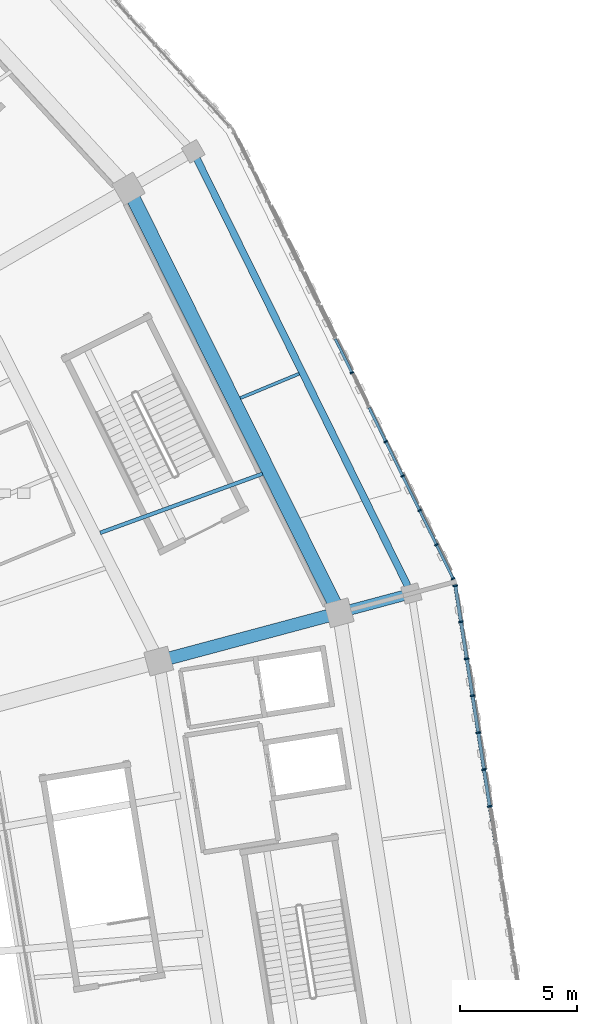
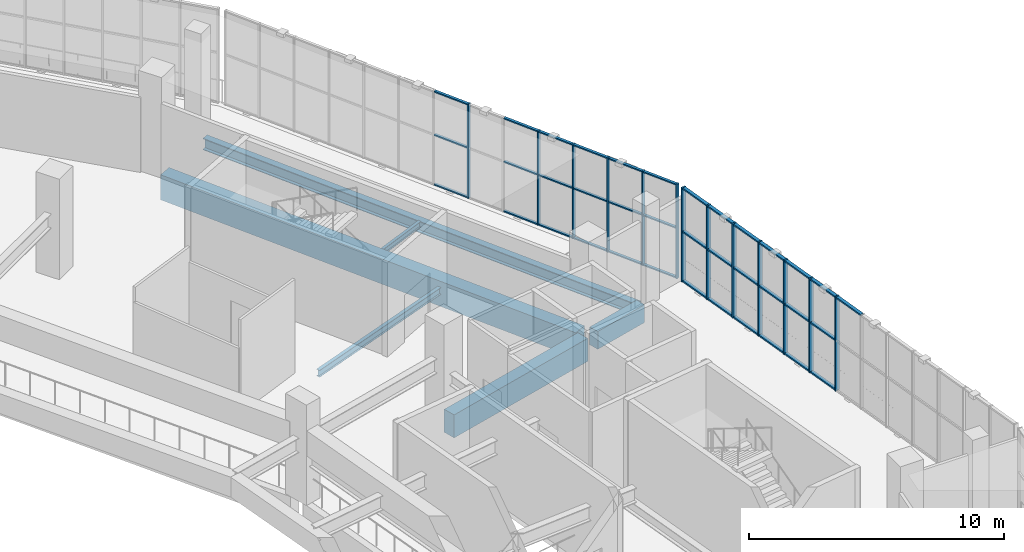
# One storey, part 43 of 179: 50 members, 6 beams, 2 elements without a shape of their own.
"""IFC4 building model written with IfcOpenShell, lengths in metres."""

from ifc_helpers import new_model, si_unit, direction, frame, origin, origin_2d, place, context, subcontext, project, spatial, rectangle, i_section, extrude, material, material_profile, profile_set, type_object, element, aggregate, save


model = new_model("IFC4")

# Units and contexts
model_context = context("Model", 3, precision=1e-05, world=origin(), true_north=direction((0.0, 1.0)))
body_context = subcontext(model_context, "Body", "Model", "MODEL_VIEW")
ifc_project = project(units=[si_unit("LENGTHUNIT", "METRE"), si_unit("AREAUNIT", "SQUARE_METRE"), si_unit("VOLUMEUNIT", "CUBIC_METRE"), si_unit("PLANEANGLEUNIT", "RADIAN"), si_unit("MASSUNIT", "GRAM", prefix="KILO")], contexts=[model_context])

# Site, building, storey
site_placement = place(None, origin())
site = spatial("IfcSite", under=ifc_project, at=site_placement, CompositionType="ELEMENT")
building_placement = place(site_placement, origin())
building = spatial("IfcBuilding", under=site, at=building_placement, Name="Zevraka Park Crest Stadium", CompositionType="ELEMENT")
storey_placement = place(building_placement, frame((0.0, 0.0, 10.199951171875)))
storey = spatial("IfcBuildingStorey", under=building, at=storey_placement, Name="L02", CompositionType="ELEMENT", Elevation=10.199951171875)

# Beams
ifc_material_1 = material(Name="Concrete C40/50", Category="concrete")
ifc_material_profile_1 = material_profile(ifc_material_1, rectangle(XDim=0.550048828125, YDim=1.10009765625, at=origin_2d()), Name="RC 1100x550")
ifc_profile_set_1 = profile_set([ifc_material_profile_1], Name="Concrete C40/50")
beam_type_1 = type_object("IfcBeamType", Name="BG02", PredefinedType="BEAM", material=ifc_profile_set_1)
beam_1_placement = place(storey_placement, frame((191.785888671875, 109.4970703125, -0.56005859375), z_axis=(0.965968812251, 0.258658565986, 0.0), x_axis=(-0.258658565986, 0.965968812251, 0.0)))
element("IfcBeam", 1, at=beam_1_placement, inside=storey, type_object=beam_type_1, Name="Radial Girder BG02 L02-CD-01", PredefinedType="BEAM", context=body_context, shape_type="SweptSolid", body=[
    extrude(rectangle(XDim=0.550048828125, YDim=1.10009765625, at=origin_2d()), origin(), (0.0, 0.0, 1.0), 7.39892578125),
])
ifc_material_2 = material(Name="Concrete C40/50", Category="concrete")
ifc_material_profile_2 = material_profile(ifc_material_2, rectangle(XDim=0.449951171875, YDim=0.85009765625, at=origin_2d()), Name="RC 850x450")
ifc_profile_set_2 = profile_set([ifc_material_profile_2], Name="Concrete C40/50")
beam_type_2 = type_object("IfcBeamType", Name="BG03", PredefinedType="BEAM", material=ifc_profile_set_2)
beam_2_placement = place(storey_placement, frame((199.512939453125, 111.56689453125, -0.43505859375), z_axis=(0.965992888406, 0.258568636051, 0.0), x_axis=(-0.258568636051, 0.965992888406, 0.0)))
element("IfcBeam", 2, at=beam_2_placement, inside=storey, type_object=beam_type_2, Name="Radial Girder BG03 L02-DE-01", PredefinedType="BEAM", context=body_context, shape_type="SweptSolid", body=[
    extrude(rectangle(XDim=0.449951171875, YDim=0.85009765625, at=origin_2d()), origin(), (0.0, 0.0, 1.0), 2.599365234375),
])

# Curtain wall, members
ifc_material_3 = material(Name="Anodised architectural aluminium and laminated safety glass", Category="aluminium")
curtain_wall_type_1 = type_object("IfcCurtainWallType", Name="CW07", PredefinedType="NOTDEFINED", material=ifc_material_3)
curtain_wall_1_placement = place(storey_placement, origin())
curtain_wall_1 = element("IfcCurtainWall", 3, at=curtain_wall_1_placement, inside=storey, type_object=curtain_wall_type_1, Name="Unitised Ring Curtain Wall CW07 L02-01", PredefinedType="NOTDEFINED")
ifc_material_4 = material(Name="Anodised architectural aluminium", Category="aluminium")
ifc_material_profile_3 = material_profile(ifc_material_4, rectangle(XDim=0.159912109375, YDim=0.06005859375, at=origin_2d()), Name="ALU MULLION 160x60")
ifc_profile_set_3 = profile_set([ifc_material_profile_3], Name="Anodised architectural aluminium")
member_type_1 = type_object("IfcMemberType", Name="CM01", PredefinedType="MULLION", material=ifc_profile_set_3)
member_1_placement = place(storey_placement, frame((204.098876953125, 112.951904296875, 0.0), z_axis=(0.0, 0.0, 1.0), x_axis=(-0.897496768201, -0.441021032455, 0.0)))
member_1 = element("IfcMember", 4, at=member_1_placement, type_object=member_type_1, Name="CW07 mullion 1", PredefinedType="MULLION", context=body_context, shape_type="SweptSolid", body=[
    extrude(rectangle(XDim=0.159912109375, YDim=0.06005859375, at=origin_2d()), origin(), (0.0, 0.0, 1.0), 4.5),
])
member_2_placement = place(storey_placement, frame((203.3876953125, 114.399169921875, 0.0), z_axis=(0.0, 0.0, 1.0), x_axis=(-0.897496768201, -0.441021032455, 0.0)))
member_2 = element("IfcMember", 5, at=member_2_placement, type_object=member_type_1, Name="CW07 mullion 2", PredefinedType="MULLION", context=body_context, shape_type="SweptSolid", body=[
    extrude(rectangle(XDim=0.159912109375, YDim=0.06005859375, at=origin_2d()), origin(), (0.0, 0.0, 1.0), 4.5),
])
member_3_placement = place(storey_placement, frame((202.663330078125, 115.873291015625, 0.0), z_axis=(0.0, 0.0, 1.0), x_axis=(-0.897496768201, -0.441021032455, 0.0)))
member_3 = element("IfcMember", 6, at=member_3_placement, type_object=member_type_1, Name="CW07 mullion 3", PredefinedType="MULLION", context=body_context, shape_type="SweptSolid", body=[
    extrude(rectangle(XDim=0.159912109375, YDim=0.06005859375, at=origin_2d()), origin(), (0.0, 0.0, 1.0), 4.5),
])
member_4_placement = place(storey_placement, frame((201.93896484375, 117.347412109375, 0.0), z_axis=(0.0, 0.0, 1.0), x_axis=(-0.897496768201, -0.441021032455, 0.0)))
member_4 = element("IfcMember", 7, at=member_4_placement, type_object=member_type_1, Name="CW07 mullion 4", PredefinedType="MULLION", context=body_context, shape_type="SweptSolid", body=[
    extrude(rectangle(XDim=0.159912109375, YDim=0.06005859375, at=origin_2d()), origin(), (0.0, 0.0, 1.0), 4.5),
])
member_5_placement = place(storey_placement, frame((201.21435546875, 118.821533203125, 0.0), z_axis=(0.0, 0.0, 1.0), x_axis=(-0.897496768201, -0.441021032455, 0.0)))
member_5 = element("IfcMember", 8, at=member_5_placement, type_object=member_type_1, Name="CW07 mullion 5", PredefinedType="MULLION", context=body_context, shape_type="SweptSolid", body=[
    extrude(rectangle(XDim=0.159912109375, YDim=0.06005859375, at=origin_2d()), origin(), (0.0, 0.0, 1.0), 4.5),
])
member_6_placement = place(storey_placement, frame((199.765625, 121.77001953125, 0.0), z_axis=(0.0, 0.0, 1.0), x_axis=(-0.897496768201, -0.441021032455, 0.0)))
member_6 = element("IfcMember", 9, at=member_6_placement, type_object=member_type_1, Name="CW07 mullion 7", PredefinedType="MULLION", context=body_context, shape_type="SweptSolid", body=[
    extrude(rectangle(XDim=0.159912109375, YDim=0.06005859375, at=origin_2d()), origin(), (0.0, 0.0, 1.0), 4.5),
])

ifc_material_5 = material(Name="Anodised architectural aluminium and laminated safety glass", Category="aluminium")
curtain_wall_type_2 = type_object("IfcCurtainWallType", Name="CW06", PredefinedType="NOTDEFINED", material=ifc_material_5)
curtain_wall_2_placement = place(storey_placement, origin())
curtain_wall_2 = element("IfcCurtainWall", 10, at=curtain_wall_2_placement, inside=storey, type_object=curtain_wall_type_2, Name="Unitised Ring Curtain Wall CW06 L02-00", PredefinedType="NOTDEFINED")
ifc_material_6 = material(Name="Anodised architectural aluminium", Category="aluminium")
ifc_material_profile_4 = material_profile(ifc_material_6, rectangle(XDim=0.199951171875, YDim=0.070068359375, at=origin_2d()), Name="ALU MULLION 200x70")
ifc_profile_set_4 = profile_set([ifc_material_profile_4], Name="Anodised architectural aluminium")
member_type_2 = type_object("IfcMemberType", Name="CM03", PredefinedType="MULLION", material=ifc_profile_set_4)
member_7_placement = place(storey_placement, frame((205.670654296875, 103.19580078125, 0.0), z_axis=(0.0, 0.0, 1.0), x_axis=(-0.988028063865, -0.154274252598, 0.0)))
member_7 = element("IfcMember", 11, at=member_7_placement, type_object=member_type_2, Name="CW06 mullion 8", PredefinedType="MULLION", context=body_context, shape_type="SweptSolid", body=[
    extrude(rectangle(XDim=0.199951171875, YDim=0.070068359375, at=origin_2d()), origin(), (0.0, 0.0, 1.0), 4.5),
])
member_8_placement = place(storey_placement, frame((205.423583984375, 104.777099609375, 0.0), z_axis=(0.0, 0.0, 1.0), x_axis=(-0.988028063865, -0.154274252598, 0.0)))
member_8 = element("IfcMember", 12, at=member_8_placement, type_object=member_type_2, Name="CW06 mullion 9", PredefinedType="MULLION", context=body_context, shape_type="SweptSolid", body=[
    extrude(rectangle(XDim=0.199951171875, YDim=0.070068359375, at=origin_2d()), origin(), (0.0, 0.0, 1.0), 4.5),
])
member_9_placement = place(storey_placement, frame((205.1767578125, 106.3583984375, 0.0), z_axis=(0.0, 0.0, 1.0), x_axis=(-0.988028063865, -0.154274252598, 0.0)))
member_9 = element("IfcMember", 13, at=member_9_placement, type_object=member_type_2, Name="CW06 mullion 10", PredefinedType="MULLION", context=body_context, shape_type="SweptSolid", body=[
    extrude(rectangle(XDim=0.199951171875, YDim=0.070068359375, at=origin_2d()), origin(), (0.0, 0.0, 1.0), 4.5),
])
member_10_placement = place(storey_placement, frame((204.9296875, 107.93994140625, 0.0), z_axis=(0.0, 0.0, 1.0), x_axis=(-0.988028063865, -0.154274252598, 0.0)))
member_10 = element("IfcMember", 14, at=member_10_placement, type_object=member_type_2, Name="CW06 mullion 11", PredefinedType="MULLION", context=body_context, shape_type="SweptSolid", body=[
    extrude(rectangle(XDim=0.199951171875, YDim=0.070068359375, at=origin_2d()), origin(), (0.0, 0.0, 1.0), 4.5),
])
member_11_placement = place(storey_placement, frame((204.682861328125, 109.521240234375, 0.0), z_axis=(0.0, 0.0, 1.0), x_axis=(-0.988028063865, -0.154274252598, 0.0)))
member_11 = element("IfcMember", 15, at=member_11_placement, type_object=member_type_2, Name="CW06 mullion 12", PredefinedType="MULLION", context=body_context, shape_type="SweptSolid", body=[
    extrude(rectangle(XDim=0.199951171875, YDim=0.070068359375, at=origin_2d()), origin(), (0.0, 0.0, 1.0), 4.5),
])
member_12_placement = place(storey_placement, frame((204.43603515625, 111.1025390625, 0.0), z_axis=(0.0, 0.0, 1.0), x_axis=(-0.988028063865, -0.154274252598, 0.0)))
member_12 = element("IfcMember", 16, at=member_12_placement, type_object=member_type_2, Name="CW06 mullion 13", PredefinedType="MULLION", context=body_context, shape_type="SweptSolid", body=[
    extrude(rectangle(XDim=0.199951171875, YDim=0.070068359375, at=origin_2d()), origin(), (0.0, 0.0, 1.0), 4.5),
])
member_13_placement = place(storey_placement, frame((204.1943359375, 112.6494140625, 0.0), z_axis=(0.0, 0.0, 1.0), x_axis=(-0.988028063865, -0.154274252598, 0.0)))
member_13 = element("IfcMember", 17, at=member_13_placement, type_object=member_type_2, Name="CW06 mullion 14", PredefinedType="MULLION", context=body_context, shape_type="SweptSolid", body=[
    extrude(rectangle(XDim=0.199951171875, YDim=0.070068359375, at=origin_2d()), origin(), (0.0, 0.0, 1.0), 4.5),
])

# Member
ifc_material_7 = material(Name="Anodised architectural aluminium", Category="aluminium")
ifc_material_profile_5 = material_profile(ifc_material_7, rectangle(XDim=0.1201171875, YDim=0.06005859375, at=origin_2d()), Name="ALU TRANSOM 120x60")
ifc_profile_set_5 = profile_set([ifc_material_profile_5], Name="Anodised architectural aluminium")
member_type_3 = type_object("IfcMemberType", Name="CT01", PredefinedType="USERDEFINED", material=ifc_profile_set_5)
member_14_placement = place(storey_placement, frame((204.08544921875, 112.978759765625, 0.030029296875), z_axis=(-0.440912769213, 0.897549959582, 0.0), x_axis=(-0.897549959582, -0.440912769213, 0.0)))
member_14 = element("IfcMember", 18, at=member_14_placement, type_object=member_type_3, Name="CW07 transom 1.1", ObjectType="TRANSOM", PredefinedType="USERDEFINED", context=body_context, shape_type="SweptSolid", body=[
    extrude(rectangle(XDim=0.1201171875, YDim=0.06005859375, at=origin_2d()), origin(), (0.0, 0.0, 1.0), 1.552734375),
])

member_15_placement = place(storey_placement, frame((204.08544921875, 112.978759765625, 2.400146484375), z_axis=(-0.440912769213, 0.897549959582, 0.0), x_axis=(-0.897549959582, -0.440912769213, 0.0)))
member_15 = element("IfcMember", 19, at=member_15_placement, type_object=member_type_3, Name="CW07 transom 1.2", ObjectType="TRANSOM", PredefinedType="USERDEFINED", context=body_context, shape_type="SweptSolid", body=[
    extrude(rectangle(XDim=0.1201171875, YDim=0.06005859375, at=origin_2d()), origin(), (0.0, 0.0, 1.0), 1.552734375),
])

member_16_placement = place(storey_placement, frame((204.08544921875, 112.978759765625, 4.469970703125), z_axis=(-0.440912769213, 0.897549959582, 0.0), x_axis=(-0.897549959582, -0.440912769213, 0.0)))
member_16 = element("IfcMember", 20, at=member_16_placement, type_object=member_type_3, Name="CW07 transom 1.3", ObjectType="TRANSOM", PredefinedType="USERDEFINED", context=body_context, shape_type="SweptSolid", body=[
    extrude(rectangle(XDim=0.1201171875, YDim=0.06005859375, at=origin_2d()), origin(), (0.0, 0.0, 1.0), 1.552734375),
])

member_17_placement = place(storey_placement, frame((203.374267578125, 114.426025390625, 0.030029296875), z_axis=(-0.440908240413, 0.897552184297, 0.0), x_axis=(-0.897552184297, -0.440908240413, 0.0)))
member_17 = element("IfcMember", 21, at=member_17_placement, type_object=member_type_3, Name="CW07 transom 2.1", ObjectType="TRANSOM", PredefinedType="USERDEFINED", context=body_context, shape_type="SweptSolid", body=[
    extrude(rectangle(XDim=0.1201171875, YDim=0.06005859375, at=origin_2d()), origin(), (0.0, 0.0, 1.0), 1.58251953125),
])

member_18_placement = place(storey_placement, frame((203.374267578125, 114.426025390625, 2.400146484375), z_axis=(-0.440908240413, 0.897552184297, 0.0), x_axis=(-0.897552184297, -0.440908240413, 0.0)))
member_18 = element("IfcMember", 22, at=member_18_placement, type_object=member_type_3, Name="CW07 transom 2.2", ObjectType="TRANSOM", PredefinedType="USERDEFINED", context=body_context, shape_type="SweptSolid", body=[
    extrude(rectangle(XDim=0.1201171875, YDim=0.06005859375, at=origin_2d()), origin(), (0.0, 0.0, 1.0), 1.58251953125),
])

member_19_placement = place(storey_placement, frame((203.374267578125, 114.426025390625, 4.469970703125), z_axis=(-0.440908240413, 0.897552184297, 0.0), x_axis=(-0.897552184297, -0.440908240413, 0.0)))
member_19 = element("IfcMember", 23, at=member_19_placement, type_object=member_type_3, Name="CW07 transom 2.3", ObjectType="TRANSOM", PredefinedType="USERDEFINED", context=body_context, shape_type="SweptSolid", body=[
    extrude(rectangle(XDim=0.1201171875, YDim=0.06005859375, at=origin_2d()), origin(), (0.0, 0.0, 1.0), 1.58251953125),
])

member_20_placement = place(storey_placement, frame((202.64990234375, 115.900146484375, 0.030029296875), z_axis=(-0.440908240413, 0.897552184297, 0.0), x_axis=(-0.897552184297, -0.440908240413, 0.0)))
member_20 = element("IfcMember", 24, at=member_20_placement, type_object=member_type_3, Name="CW07 transom 3.1", ObjectType="TRANSOM", PredefinedType="USERDEFINED", context=body_context, shape_type="SweptSolid", body=[
    extrude(rectangle(XDim=0.1201171875, YDim=0.06005859375, at=origin_2d()), origin(), (0.0, 0.0, 1.0), 1.58251953125),
])

member_21_placement = place(storey_placement, frame((202.64990234375, 115.900146484375, 2.400146484375), z_axis=(-0.440908240413, 0.897552184297, 0.0), x_axis=(-0.897552184297, -0.440908240413, 0.0)))
member_21 = element("IfcMember", 25, at=member_21_placement, type_object=member_type_3, Name="CW07 transom 3.2", ObjectType="TRANSOM", PredefinedType="USERDEFINED", context=body_context, shape_type="SweptSolid", body=[
    extrude(rectangle(XDim=0.1201171875, YDim=0.06005859375, at=origin_2d()), origin(), (0.0, 0.0, 1.0), 1.58251953125),
])

member_22_placement = place(storey_placement, frame((202.64990234375, 115.900146484375, 4.469970703125), z_axis=(-0.440908240413, 0.897552184297, 0.0), x_axis=(-0.897552184297, -0.440908240413, 0.0)))
member_22 = element("IfcMember", 26, at=member_22_placement, type_object=member_type_3, Name="CW07 transom 3.3", ObjectType="TRANSOM", PredefinedType="USERDEFINED", context=body_context, shape_type="SweptSolid", body=[
    extrude(rectangle(XDim=0.1201171875, YDim=0.06005859375, at=origin_2d()), origin(), (0.0, 0.0, 1.0), 1.58251953125),
])

member_23_placement = place(storey_placement, frame((201.925537109375, 117.374267578125, 0.030029296875), z_axis=(-0.440908240413, 0.897552184297, 0.0), x_axis=(-0.897552184297, -0.440908240413, 0.0)))
member_23 = element("IfcMember", 27, at=member_23_placement, type_object=member_type_3, Name="CW07 transom 4.1", ObjectType="TRANSOM", PredefinedType="USERDEFINED", context=body_context, shape_type="SweptSolid", body=[
    extrude(rectangle(XDim=0.1201171875, YDim=0.06005859375, at=origin_2d()), origin(), (0.0, 0.0, 1.0), 1.58251953125),
])

member_24_placement = place(storey_placement, frame((201.925537109375, 117.374267578125, 2.400146484375), z_axis=(-0.440908240413, 0.897552184297, 0.0), x_axis=(-0.897552184297, -0.440908240413, 0.0)))
member_24 = element("IfcMember", 28, at=member_24_placement, type_object=member_type_3, Name="CW07 transom 4.2", ObjectType="TRANSOM", PredefinedType="USERDEFINED", context=body_context, shape_type="SweptSolid", body=[
    extrude(rectangle(XDim=0.1201171875, YDim=0.06005859375, at=origin_2d()), origin(), (0.0, 0.0, 1.0), 1.58251953125),
])

member_25_placement = place(storey_placement, frame((201.925537109375, 117.374267578125, 4.469970703125), z_axis=(-0.440908240413, 0.897552184297, 0.0), x_axis=(-0.897552184297, -0.440908240413, 0.0)))
member_25 = element("IfcMember", 29, at=member_25_placement, type_object=member_type_3, Name="CW07 transom 4.3", ObjectType="TRANSOM", PredefinedType="USERDEFINED", context=body_context, shape_type="SweptSolid", body=[
    extrude(rectangle(XDim=0.1201171875, YDim=0.06005859375, at=origin_2d()), origin(), (0.0, 0.0, 1.0), 1.58251953125),
])

member_26_placement = place(storey_placement, frame((201.201171875, 118.8486328125, 0.030029296875), z_axis=(-0.440969299006, 0.897522187656, 0.0), x_axis=(-0.897522187656, -0.440969299006, 0.0)))
member_26 = element("IfcMember", 30, at=member_26_placement, type_object=member_type_3, Name="CW07 transom 5.1", ObjectType="TRANSOM", PredefinedType="USERDEFINED", context=body_context, shape_type="SweptSolid", body=[
    extrude(rectangle(XDim=0.1201171875, YDim=0.06005859375, at=origin_2d()), origin(), (0.0, 0.0, 1.0), 1.582275390625),
])

member_27_placement = place(storey_placement, frame((201.201171875, 118.8486328125, 2.400146484375), z_axis=(-0.440969299006, 0.897522187656, 0.0), x_axis=(-0.897522187656, -0.440969299006, 0.0)))
member_27 = element("IfcMember", 31, at=member_27_placement, type_object=member_type_3, Name="CW07 transom 5.2", ObjectType="TRANSOM", PredefinedType="USERDEFINED", context=body_context, shape_type="SweptSolid", body=[
    extrude(rectangle(XDim=0.1201171875, YDim=0.06005859375, at=origin_2d()), origin(), (0.0, 0.0, 1.0), 1.582275390625),
])

member_28_placement = place(storey_placement, frame((201.201171875, 118.8486328125, 4.469970703125), z_axis=(-0.440969299006, 0.897522187656, 0.0), x_axis=(-0.897522187656, -0.440969299006, 0.0)))
member_28 = element("IfcMember", 32, at=member_28_placement, type_object=member_type_3, Name="CW07 transom 5.3", ObjectType="TRANSOM", PredefinedType="USERDEFINED", context=body_context, shape_type="SweptSolid", body=[
    extrude(rectangle(XDim=0.1201171875, YDim=0.06005859375, at=origin_2d()), origin(), (0.0, 0.0, 1.0), 1.582275390625),
])

member_29_placement = place(storey_placement, frame((199.75244140625, 121.796875, 0.030029296875), z_axis=(-0.441093576416, 0.897461117177, 0.0), x_axis=(-0.897461117177, -0.441093576416, 0.0)))
member_29 = element("IfcMember", 33, at=member_29_placement, type_object=member_type_3, Name="CW07 transom 7.1", ObjectType="TRANSOM", PredefinedType="USERDEFINED", context=body_context, shape_type="SweptSolid", body=[
    extrude(rectangle(XDim=0.1201171875, YDim=0.06005859375, at=origin_2d()), origin(), (0.0, 0.0, 1.0), 1.58251953125),
])

member_30_placement = place(storey_placement, frame((199.75244140625, 121.796875, 2.400146484375), z_axis=(-0.441093576416, 0.897461117177, 0.0), x_axis=(-0.897461117177, -0.441093576416, 0.0)))
member_30 = element("IfcMember", 34, at=member_30_placement, type_object=member_type_3, Name="CW07 transom 7.2", ObjectType="TRANSOM", PredefinedType="USERDEFINED", context=body_context, shape_type="SweptSolid", body=[
    extrude(rectangle(XDim=0.1201171875, YDim=0.06005859375, at=origin_2d()), origin(), (0.0, 0.0, 1.0), 1.58251953125),
])

member_31_placement = place(storey_placement, frame((199.75244140625, 121.796875, 4.469970703125), z_axis=(-0.441093576416, 0.897461117177, 0.0), x_axis=(-0.897461117177, -0.441093576416, 0.0)))
member_31 = element("IfcMember", 35, at=member_31_placement, type_object=member_type_3, Name="CW07 transom 7.3", ObjectType="TRANSOM", PredefinedType="USERDEFINED", context=body_context, shape_type="SweptSolid", body=[
    extrude(rectangle(XDim=0.1201171875, YDim=0.06005859375, at=origin_2d()), origin(), (0.0, 0.0, 1.0), 1.58251953125),
])

aggregate(curtain_wall_1, [member_1, member_2, member_3, member_4, member_5, member_6, member_14, member_15, member_16, member_17, member_18, member_19, member_20, member_21, member_22, member_23, member_24, member_25, member_26, member_27, member_28, member_29, member_30, member_31])

ifc_material_8 = material(Name="Anodised architectural aluminium", Category="aluminium")
ifc_material_profile_6 = material_profile(ifc_material_8, rectangle(XDim=0.14990234375, YDim=0.070068359375, at=origin_2d()), Name="ALU TRANSOM 150x70")
ifc_profile_set_6 = profile_set([ifc_material_profile_6], Name="Anodised architectural aluminium")
member_type_4 = type_object("IfcMemberType", Name="CT03", PredefinedType="USERDEFINED", material=ifc_profile_set_6)
member_32_placement = place(storey_placement, frame((205.912109375, 101.64892578125, 4.465087890625), z_axis=(-0.154250362395, 0.988031793872, 0.0), x_axis=(-0.988031793872, -0.154250362395, 0.0)))
member_32 = element("IfcMember", 36, at=member_32_placement, type_object=member_type_4, Name="CW06 transom 7.3", ObjectType="TRANSOM", PredefinedType="USERDEFINED", context=body_context, shape_type="SweptSolid", body=[
    extrude(rectangle(XDim=0.14990234375, YDim=0.070068359375, at=origin_2d()), origin(), (0.0, 0.0, 1.0), 1.530517578125),
])

member_33_placement = place(storey_placement, frame((205.6650390625, 103.230224609375, 0.03515625), z_axis=(-0.154250362395, 0.988031793872, 0.0), x_axis=(-0.988031793872, -0.154250362395, 0.0)))
member_33 = element("IfcMember", 37, at=member_33_placement, type_object=member_type_4, Name="CW06 transom 8.1", ObjectType="TRANSOM", PredefinedType="USERDEFINED", context=body_context, shape_type="SweptSolid", body=[
    extrude(rectangle(XDim=0.14990234375, YDim=0.070068359375, at=origin_2d()), origin(), (0.0, 0.0, 1.0), 1.530517578125),
])

member_34_placement = place(storey_placement, frame((205.6650390625, 103.230224609375, 2.400146484375), z_axis=(-0.154250362395, 0.988031793872, 0.0), x_axis=(-0.988031793872, -0.154250362395, 0.0)))
member_34 = element("IfcMember", 38, at=member_34_placement, type_object=member_type_4, Name="CW06 transom 8.2", ObjectType="TRANSOM", PredefinedType="USERDEFINED", context=body_context, shape_type="SweptSolid", body=[
    extrude(rectangle(XDim=0.14990234375, YDim=0.070068359375, at=origin_2d()), origin(), (0.0, 0.0, 1.0), 1.530517578125),
])

member_35_placement = place(storey_placement, frame((205.6650390625, 103.230224609375, 4.465087890625), z_axis=(-0.154250362395, 0.988031793872, 0.0), x_axis=(-0.988031793872, -0.154250362395, 0.0)))
member_35 = element("IfcMember", 39, at=member_35_placement, type_object=member_type_4, Name="CW06 transom 8.3", ObjectType="TRANSOM", PredefinedType="USERDEFINED", context=body_context, shape_type="SweptSolid", body=[
    extrude(rectangle(XDim=0.14990234375, YDim=0.070068359375, at=origin_2d()), origin(), (0.0, 0.0, 1.0), 1.530517578125),
])

member_36_placement = place(storey_placement, frame((205.418212890625, 104.811767578125, 0.03515625), z_axis=(-0.154250362395, 0.988031793872, 0.0), x_axis=(-0.988031793872, -0.154250362395, 0.0)))
member_36 = element("IfcMember", 40, at=member_36_placement, type_object=member_type_4, Name="CW06 transom 9.1", ObjectType="TRANSOM", PredefinedType="USERDEFINED", context=body_context, shape_type="SweptSolid", body=[
    extrude(rectangle(XDim=0.14990234375, YDim=0.070068359375, at=origin_2d()), origin(), (0.0, 0.0, 1.0), 1.530517578125),
])

member_37_placement = place(storey_placement, frame((205.418212890625, 104.811767578125, 2.400146484375), z_axis=(-0.154250362395, 0.988031793872, 0.0), x_axis=(-0.988031793872, -0.154250362395, 0.0)))
member_37 = element("IfcMember", 41, at=member_37_placement, type_object=member_type_4, Name="CW06 transom 9.2", ObjectType="TRANSOM", PredefinedType="USERDEFINED", context=body_context, shape_type="SweptSolid", body=[
    extrude(rectangle(XDim=0.14990234375, YDim=0.070068359375, at=origin_2d()), origin(), (0.0, 0.0, 1.0), 1.530517578125),
])

member_38_placement = place(storey_placement, frame((205.418212890625, 104.811767578125, 4.465087890625), z_axis=(-0.154250362395, 0.988031793872, 0.0), x_axis=(-0.988031793872, -0.154250362395, 0.0)))
member_38 = element("IfcMember", 42, at=member_38_placement, type_object=member_type_4, Name="CW06 transom 9.3", ObjectType="TRANSOM", PredefinedType="USERDEFINED", context=body_context, shape_type="SweptSolid", body=[
    extrude(rectangle(XDim=0.14990234375, YDim=0.070068359375, at=origin_2d()), origin(), (0.0, 0.0, 1.0), 1.530517578125),
])

member_39_placement = place(storey_placement, frame((205.17138671875, 106.39306640625, 0.03515625), z_axis=(-0.154406075629, 0.988007471535, 0.0), x_axis=(-0.988007471535, -0.154406075629, 0.0)))
member_39 = element("IfcMember", 43, at=member_39_placement, type_object=member_type_4, Name="CW06 transom 10.1", ObjectType="TRANSOM", PredefinedType="USERDEFINED", context=body_context, shape_type="SweptSolid", body=[
    extrude(rectangle(XDim=0.14990234375, YDim=0.070068359375, at=origin_2d()), origin(), (0.0, 0.0, 1.0), 1.530517578125),
])

member_40_placement = place(storey_placement, frame((205.17138671875, 106.39306640625, 2.400146484375), z_axis=(-0.154406075629, 0.988007471535, 0.0), x_axis=(-0.988007471535, -0.154406075629, 0.0)))
member_40 = element("IfcMember", 44, at=member_40_placement, type_object=member_type_4, Name="CW06 transom 10.2", ObjectType="TRANSOM", PredefinedType="USERDEFINED", context=body_context, shape_type="SweptSolid", body=[
    extrude(rectangle(XDim=0.14990234375, YDim=0.070068359375, at=origin_2d()), origin(), (0.0, 0.0, 1.0), 1.530517578125),
])

member_41_placement = place(storey_placement, frame((205.17138671875, 106.39306640625, 4.465087890625), z_axis=(-0.154406075629, 0.988007471535, 0.0), x_axis=(-0.988007471535, -0.154406075629, 0.0)))
member_41 = element("IfcMember", 45, at=member_41_placement, type_object=member_type_4, Name="CW06 transom 10.3", ObjectType="TRANSOM", PredefinedType="USERDEFINED", context=body_context, shape_type="SweptSolid", body=[
    extrude(rectangle(XDim=0.14990234375, YDim=0.070068359375, at=origin_2d()), origin(), (0.0, 0.0, 1.0), 1.530517578125),
])

member_42_placement = place(storey_placement, frame((204.92431640625, 107.974365234375, 0.03515625), z_axis=(-0.154250362395, 0.988031793872, 0.0), x_axis=(-0.988031793872, -0.154250362395, 0.0)))
member_42 = element("IfcMember", 46, at=member_42_placement, type_object=member_type_4, Name="CW06 transom 11.1", ObjectType="TRANSOM", PredefinedType="USERDEFINED", context=body_context, shape_type="SweptSolid", body=[
    extrude(rectangle(XDim=0.14990234375, YDim=0.070068359375, at=origin_2d()), origin(), (0.0, 0.0, 1.0), 1.530517578125),
])

member_43_placement = place(storey_placement, frame((204.92431640625, 107.974365234375, 2.400146484375), z_axis=(-0.154250362395, 0.988031793872, 0.0), x_axis=(-0.988031793872, -0.154250362395, 0.0)))
member_43 = element("IfcMember", 47, at=member_43_placement, type_object=member_type_4, Name="CW06 transom 11.2", ObjectType="TRANSOM", PredefinedType="USERDEFINED", context=body_context, shape_type="SweptSolid", body=[
    extrude(rectangle(XDim=0.14990234375, YDim=0.070068359375, at=origin_2d()), origin(), (0.0, 0.0, 1.0), 1.530517578125),
])

member_44_placement = place(storey_placement, frame((204.92431640625, 107.974365234375, 4.465087890625), z_axis=(-0.154250362395, 0.988031793872, 0.0), x_axis=(-0.988031793872, -0.154250362395, 0.0)))
member_44 = element("IfcMember", 48, at=member_44_placement, type_object=member_type_4, Name="CW06 transom 11.3", ObjectType="TRANSOM", PredefinedType="USERDEFINED", context=body_context, shape_type="SweptSolid", body=[
    extrude(rectangle(XDim=0.14990234375, YDim=0.070068359375, at=origin_2d()), origin(), (0.0, 0.0, 1.0), 1.530517578125),
])

member_45_placement = place(storey_placement, frame((204.677490234375, 109.555908203125, 0.03515625), z_axis=(-0.154250362395, 0.988031793872, 0.0), x_axis=(-0.988031793872, -0.154250362395, 0.0)))
member_45 = element("IfcMember", 49, at=member_45_placement, type_object=member_type_4, Name="CW06 transom 12.1", ObjectType="TRANSOM", PredefinedType="USERDEFINED", context=body_context, shape_type="SweptSolid", body=[
    extrude(rectangle(XDim=0.14990234375, YDim=0.070068359375, at=origin_2d()), origin(), (0.0, 0.0, 1.0), 1.530517578125),
])

member_46_placement = place(storey_placement, frame((204.677490234375, 109.555908203125, 2.400146484375), z_axis=(-0.154250362395, 0.988031793872, 0.0), x_axis=(-0.988031793872, -0.154250362395, 0.0)))
member_46 = element("IfcMember", 50, at=member_46_placement, type_object=member_type_4, Name="CW06 transom 12.2", ObjectType="TRANSOM", PredefinedType="USERDEFINED", context=body_context, shape_type="SweptSolid", body=[
    extrude(rectangle(XDim=0.14990234375, YDim=0.070068359375, at=origin_2d()), origin(), (0.0, 0.0, 1.0), 1.530517578125),
])

member_47_placement = place(storey_placement, frame((204.677490234375, 109.555908203125, 4.465087890625), z_axis=(-0.154250362395, 0.988031793872, 0.0), x_axis=(-0.988031793872, -0.154250362395, 0.0)))
member_47 = element("IfcMember", 51, at=member_47_placement, type_object=member_type_4, Name="CW06 transom 12.3", ObjectType="TRANSOM", PredefinedType="USERDEFINED", context=body_context, shape_type="SweptSolid", body=[
    extrude(rectangle(XDim=0.14990234375, YDim=0.070068359375, at=origin_2d()), origin(), (0.0, 0.0, 1.0), 1.530517578125),
])

member_48_placement = place(storey_placement, frame((204.430419921875, 111.13720703125, 0.03515625), z_axis=(-0.15427727598, 0.988027591779, 0.0), x_axis=(-0.988027591779, -0.15427727598, 0.0)))
member_48 = element("IfcMember", 52, at=member_48_placement, type_object=member_type_4, Name="CW06 transom 13.1", ObjectType="TRANSOM", PredefinedType="USERDEFINED", context=body_context, shape_type="SweptSolid", body=[
    extrude(rectangle(XDim=0.14990234375, YDim=0.070068359375, at=origin_2d()), origin(), (0.0, 0.0, 1.0), 1.495361328125),
])

member_49_placement = place(storey_placement, frame((204.430419921875, 111.13720703125, 2.400146484375), z_axis=(-0.15427727598, 0.988027591779, 0.0), x_axis=(-0.988027591779, -0.15427727598, 0.0)))
member_49 = element("IfcMember", 53, at=member_49_placement, type_object=member_type_4, Name="CW06 transom 13.2", ObjectType="TRANSOM", PredefinedType="USERDEFINED", context=body_context, shape_type="SweptSolid", body=[
    extrude(rectangle(XDim=0.14990234375, YDim=0.070068359375, at=origin_2d()), origin(), (0.0, 0.0, 1.0), 1.495361328125),
])

member_50_placement = place(storey_placement, frame((204.430419921875, 111.13720703125, 4.465087890625), z_axis=(-0.15427727598, 0.988027591779, 0.0), x_axis=(-0.988027591779, -0.15427727598, 0.0)))
member_50 = element("IfcMember", 54, at=member_50_placement, type_object=member_type_4, Name="CW06 transom 13.3", ObjectType="TRANSOM", PredefinedType="USERDEFINED", context=body_context, shape_type="SweptSolid", body=[
    extrude(rectangle(XDim=0.14990234375, YDim=0.070068359375, at=origin_2d()), origin(), (0.0, 0.0, 1.0), 1.495361328125),
])

aggregate(curtain_wall_2, [member_7, member_8, member_9, member_10, member_11, member_12, member_13, member_32, member_33, member_34, member_35, member_36, member_37, member_38, member_39, member_40, member_41, member_42, member_43, member_44, member_45, member_46, member_47, member_48, member_49, member_50])

# Beams
ifc_material_9 = material(Name="Concrete C40/50", Category="concrete")
ifc_material_profile_7 = material_profile(ifc_material_9, rectangle(XDim=0.60009765625, YDim=1.199951171875, at=origin_2d()), Name="RC 1200x600")
ifc_profile_set_7 = profile_set([ifc_material_profile_7], Name="Concrete C40/50")
beam_type_3 = type_object("IfcBeamType", Name="RB01", PredefinedType="BEAM", material=ifc_profile_set_7)
beam_3_placement = place(storey_placement, frame((199.053955078125, 111.8291015625, -0.60986328125), z_axis=(-0.444850507814, 0.895604837916, 0.0), x_axis=(-0.895604837916, -0.444850507814, 0.0)))
element("IfcBeam", 55, at=beam_3_placement, inside=storey, type_object=beam_type_3, Name="Ring Beam RB01 L02-D-01", PredefinedType="BEAM", context=body_context, shape_type="SweptSolid", body=[
    extrude(rectangle(XDim=0.60009765625, YDim=1.199951171875, at=origin_2d()), origin(), (0.0, 0.0, 1.0), 19.5185546875),
])
ifc_material_10 = material(Name="Steel S355", Category="steel")
ifc_material_profile_8 = material_profile(ifc_material_10, i_section(OverallWidth=0.300048828125, OverallDepth=0.550048828125, WebThickness=0.014892578125, FlangeThickness=0.029052734375, at=origin_2d()), Name="HEB 550")
ifc_profile_set_8 = profile_set([ifc_material_profile_8], Name="Steel S355")
beam_type_4 = type_object("IfcBeamType", Name="RB04", PredefinedType="BEAM", material=ifc_profile_set_8)
beam_4_placement = place(storey_placement, frame((202.158935546875, 112.631103515625, -0.5849609375), z_axis=(-0.442446810597, 0.896794747862, 0.0), x_axis=(-0.896794747862, -0.442446810597, 0.0)))
element("IfcBeam", 56, at=beam_4_placement, inside=storey, type_object=beam_type_4, Name="Ring Beam RB04 L02-E-01", PredefinedType="BEAM", context=body_context, shape_type="SweptSolid", body=[
    extrude(i_section(OverallWidth=0.300048828125, OverallDepth=0.550048828125, WebThickness=0.014892578125, FlangeThickness=0.029052734375, at=origin_2d()), origin(), (0.0, 0.0, 1.0), 20.41162109375),
])
ifc_material_11 = material(Name="Steel S355", Category="steel")
ifc_material_profile_9 = material_profile(ifc_material_11, i_section(OverallWidth=0.135009765625, OverallDepth=0.27001953125, WebThickness=0.006591796875, FlangeThickness=0.01025390625, at=origin_2d()), Name="IPE 270")
ifc_profile_set_9 = profile_set([ifc_material_profile_9], Name="Steel S355")
beam_type_5 = type_object("IfcBeamType", Name="SJ07", PredefinedType="JOIST", material=ifc_profile_set_9)
beam_5_placement = place(storey_placement, frame((194.985107421875, 120.681884765625, -0.4228515625), z_axis=(0.923841523408, 0.382775181571, 0.0), x_axis=(-0.382775181571, 0.923841523408, 0.0)))
element("IfcBeam", 57, at=beam_5_placement, inside=storey, type_object=beam_type_5, Name="Floor Joist SJ07 L02-DE-01-1", PredefinedType="JOIST", context=body_context, shape_type="SweptSolid", body=[
    extrude(i_section(OverallWidth=0.135009765625, OverallDepth=0.27001953125, WebThickness=0.006591796875, FlangeThickness=0.01025390625, at=origin_2d()), origin(), (0.0, 0.0, 1.0), 2.733154296875),
])
ifc_material_12 = material(Name="Steel S355", Category="steel")
ifc_material_profile_10 = material_profile(ifc_material_12, i_section(OverallWidth=0.159912109375, OverallDepth=0.330078125, WebThickness=0.007568359375, FlangeThickness=0.011474609375, at=origin_2d()), Name="IPE 330")
ifc_profile_set_10 = profile_set([ifc_material_profile_10], Name="Steel S355")
beam_type_6 = type_object("IfcBeamType", Name="SJ08", PredefinedType="JOIST", material=ifc_profile_set_10)
beam_6_placement = place(storey_placement, frame((188.986083984375, 114.9130859375, -0.452880859375), z_axis=(0.939772225385, 0.341801352243, 0.0), x_axis=(-0.341801352243, 0.939772225385, 0.0)))
element("IfcBeam", 58, at=beam_6_placement, inside=storey, type_object=beam_type_6, Name="Floor Joist SJ08 L02-CD-01-1", PredefinedType="JOIST", context=body_context, shape_type="SweptSolid", body=[
    extrude(i_section(OverallWidth=0.159912109375, OverallDepth=0.330078125, WebThickness=0.007568359375, FlangeThickness=0.011474609375, at=origin_2d()), origin(), (0.0, 0.0, 1.0), 7.3984375),
])

save(model, "model.ifc")
